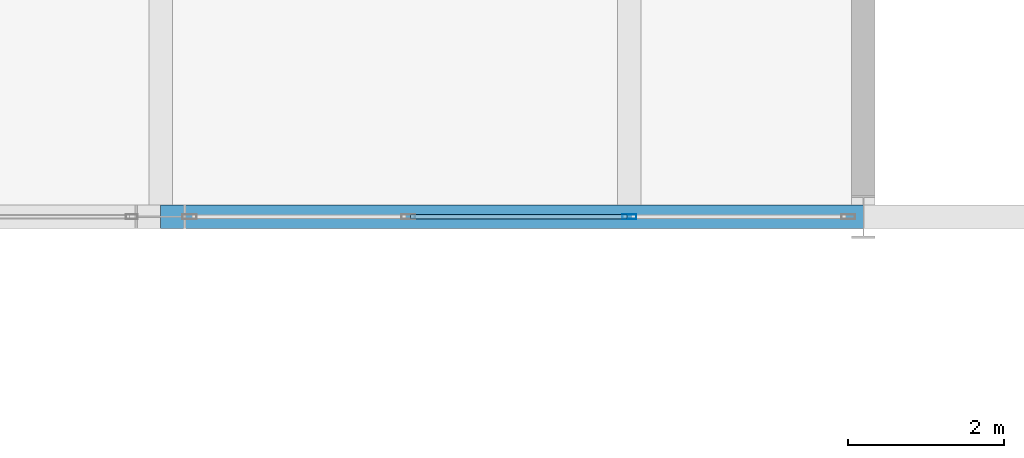
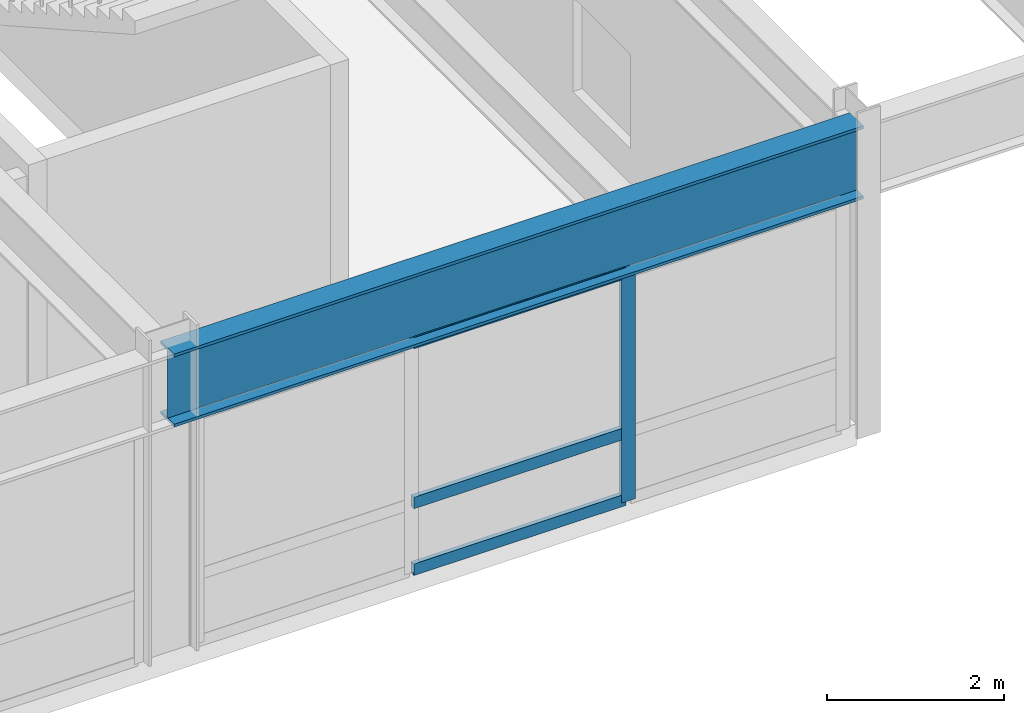
# One storey, part 91 of 127: 4 members, 1 beam, 1 element without a shape of its own.
"""IFC4 building model written with IfcOpenShell, lengths in metres."""

from ifc_helpers import new_model, si_unit, direction, frame, origin, origin_2d, place, context, subcontext, project, spatial, hollow_rectangle, i_section, extrude, material, layer, layer_set, material_profile, profile_set, type_object, element, aggregate, save


model = new_model("IFC4")

# Units and contexts
model_context = context("Model", 3, precision=1e-05, world=origin(), true_north=direction((0.0, 1.0)))
body_context = subcontext(model_context, "Body", "Model", "MODEL_VIEW")
ifc_project = project(units=[si_unit("LENGTHUNIT", "METRE"), si_unit("AREAUNIT", "SQUARE_METRE"), si_unit("VOLUMEUNIT", "CUBIC_METRE"), si_unit("PLANEANGLEUNIT", "RADIAN"), si_unit("MASSUNIT", "GRAM", prefix="KILO")], contexts=[model_context])

# Site, building, storey
site_placement = place(None, origin())
site = spatial("IfcSite", under=ifc_project, at=site_placement, CompositionType="ELEMENT")
building_placement = place(site_placement, origin())
building = spatial("IfcBuilding", under=site, at=building_placement, Name="Montelvaro Courts of Justice", CompositionType="ELEMENT")
storey_placement = place(building_placement, frame((0.0, 0.0, 5.39990234375)))
storey = spatial("IfcBuildingStorey", under=building, at=storey_placement, Name="L01", CompositionType="ELEMENT", Elevation=5.39990234375)

# Beam
ifc_material_1 = material(Name="Steel S355", Category="steel")
ifc_material_profile_1 = material_profile(ifc_material_1, i_section(OverallWidth=0.302001953125, OverallDepth=1.008056640625, WebThickness=0.02099609375, FlangeThickness=0.0400390625, at=origin_2d()), Name="HEM 1000")
ifc_profile_set_1 = profile_set([ifc_material_profile_1], Name="Steel S355")
beam_type = type_object("IfcBeamType", Name="Beam_HEM1000", PredefinedType="USERDEFINED", material=ifc_profile_set_1)
beam_placement = place(storey_placement, frame((153.0, 78.0, 3.696044921875), z_axis=(1.0, 0.0, 0.0), x_axis=(0.0, 1.0, 0.0)))
element("IfcBeam", 1, at=beam_placement, inside=storey, type_object=beam_type, Name="Pratt Cantilever Truss Chord CTR-V2-S-L02-BS3", ObjectType="GIRDER", PredefinedType="USERDEFINED", context=body_context, shape_type="SweptSolid", body=[
    extrude(i_section(OverallWidth=0.302001953125, OverallDepth=1.008056640625, WebThickness=0.02099609375, FlangeThickness=0.0400390625, at=origin_2d()), origin(), (0.0, 0.0, 1.0), 9.0),
])

# Curtain wall, members
ifc_material_2 = material(Name="Anodised aluminium EN AW-6063", Category="aluminium")
ifc_layer = layer(ifc_material_2, 0.159912109375)
ifc_layer_set = layer_set([ifc_layer], Name="Anodised aluminium EN AW-6063")
curtain_wall_type = type_object("IfcCurtainWallType", Name="CurtainWall_21_849x418", PredefinedType="USERDEFINED", material=ifc_layer_set)
curtain_wall_placement = place(storey_placement, origin())
curtain_wall = element("IfcCurtainWall", 2, at=curtain_wall_placement, inside=storey, type_object=curtain_wall_type, Name="Curtain Wall CW-21 (L01)", ObjectType="CURTAIN WALL", PredefinedType="USERDEFINED")
ifc_material_profile_2 = material_profile(ifc_material_2, hollow_rectangle(XDim=0.06005859375, YDim=0.179931640625, WallThickness=0.00439453125, at=origin_2d()), Name="ALU-M 60x180")
ifc_profile_set_2 = profile_set([ifc_material_profile_2], Name="Anodised aluminium EN AW-6063")
member_type_1 = type_object("IfcMemberType", Name="CurtainWall_Mullion_60x180", PredefinedType="MULLION", material=ifc_profile_set_2)
member_1_placement = place(storey_placement, frame((159.00341796875, 78.0, 0.0), z_axis=(0.0, 0.0, 1.0), x_axis=(0.0, 1.0, 0.0)))
member_1 = element("IfcMember", 3, at=member_1_placement, type_object=member_type_1, Name="CW-21 mullion 3", PredefinedType="MULLION", context=body_context, shape_type="SweptSolid", body=[
    extrude(hollow_rectangle(XDim=0.06005859375, YDim=0.179931640625, WallThickness=0.00439453125, at=origin_2d()), origin(), (0.0, 0.0, 1.0), 3.18701171875),
])
ifc_material_profile_3 = material_profile(ifc_material_2, hollow_rectangle(XDim=0.06005859375, YDim=0.159912109375, WallThickness=0.00439453125, at=origin_2d()), Name="ALU-T 60x160")
ifc_profile_set_3 = profile_set([ifc_material_profile_3], Name="Anodised aluminium EN AW-6063")
member_type_2 = type_object("IfcMemberType", Name="CurtainWall_Transom_60x160", PredefinedType="USERDEFINED", material=ifc_profile_set_3)
member_2_placement = place(storey_placement, frame((156.20166015625, 78.0, 0.030029296875), z_axis=(1.0, 0.0, 0.0), x_axis=(0.0, 1.0, 0.0)))
member_2 = element("IfcMember", 4, at=member_2_placement, type_object=member_type_2, Name="CW-21 transom 2.1", ObjectType="TRANSOM", PredefinedType="USERDEFINED", context=body_context, shape_type="SweptSolid", body=[
    extrude(hollow_rectangle(XDim=0.06005859375, YDim=0.159912109375, WallThickness=0.00439453125, at=origin_2d()), origin(), (0.0, 0.0, 1.0), 2.771728515625),
])
member_3_placement = place(storey_placement, frame((156.20166015625, 78.0, 0.9501953125), z_axis=(1.0, 0.0, 0.0), x_axis=(0.0, 1.0, 0.0)))
member_3 = element("IfcMember", 5, at=member_3_placement, type_object=member_type_2, Name="CW-21 transom 2.2", ObjectType="TRANSOM", PredefinedType="USERDEFINED", context=body_context, shape_type="SweptSolid", body=[
    extrude(hollow_rectangle(XDim=0.06005859375, YDim=0.159912109375, WallThickness=0.00439453125, at=origin_2d()), origin(), (0.0, 0.0, 1.0), 2.771728515625),
])
member_4_placement = place(storey_placement, frame((156.20166015625, 78.0, 3.156982421875), z_axis=(1.0, 0.0, 0.0), x_axis=(0.0, 1.0, 0.0)))
member_4 = element("IfcMember", 6, at=member_4_placement, type_object=member_type_2, Name="CW-21 transom 2.3", ObjectType="TRANSOM", PredefinedType="USERDEFINED", context=body_context, shape_type="SweptSolid", body=[
    extrude(hollow_rectangle(XDim=0.06005859375, YDim=0.159912109375, WallThickness=0.00439453125, at=origin_2d()), origin(), (0.0, 0.0, 1.0), 2.771728515625),
])
aggregate(curtain_wall, [member_1, member_2, member_3, member_4])

save(model, "model.ifc")
